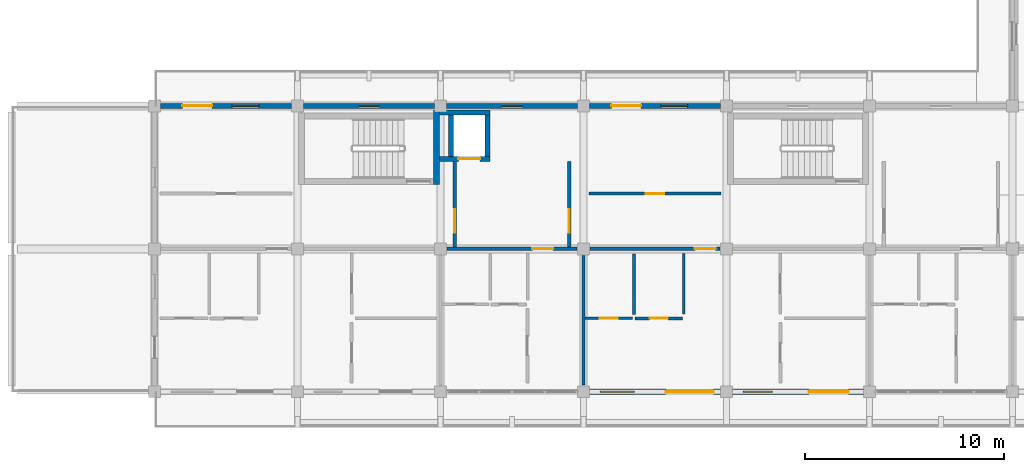
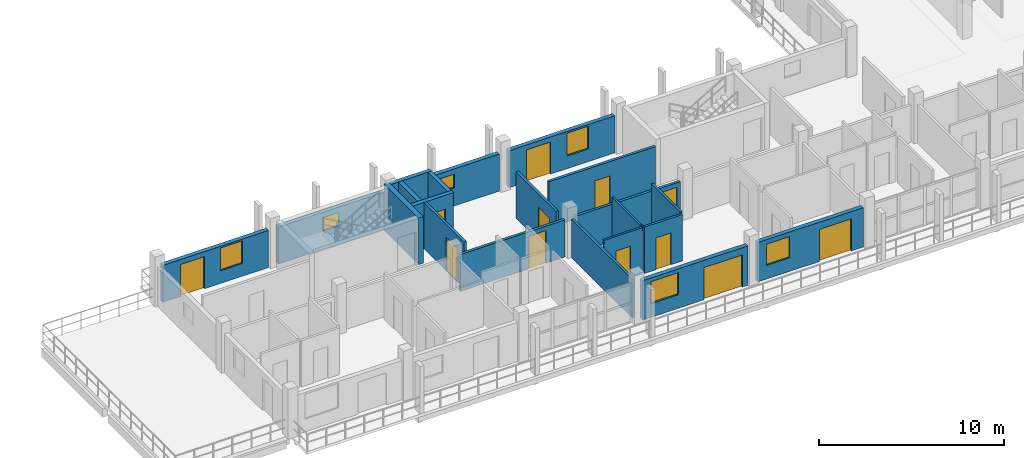
# One storey, part 50 of 75: 21 walls, 12 doors, 6 windows, 18 openings.
"""IFC4 building model written with IfcOpenShell, lengths in metres."""

from ifc_helpers import new_model, si_unit, direction, frame, frame_2d, origin, place, context, subcontext, project, spatial, rectangle, extrude, material, layer, layer_set, type_object, element, fill, save


model = new_model("IFC4")

# Units and contexts
model_context = context("Model", 3, precision=1e-05, world=origin(), true_north=direction((0.0, 1.0)))
body_context = subcontext(model_context, "Body", "Model", "MODEL_VIEW")
ifc_project = project(units=[si_unit("LENGTHUNIT", "METRE"), si_unit("AREAUNIT", "SQUARE_METRE"), si_unit("VOLUMEUNIT", "CUBIC_METRE"), si_unit("PLANEANGLEUNIT", "RADIAN"), si_unit("MASSUNIT", "GRAM", prefix="KILO")], contexts=[model_context])

# Site, building, storey
site_placement = place(None, origin())
site = spatial("IfcSite", under=ifc_project, at=site_placement, CompositionType="ELEMENT")
building_placement = place(site_placement, origin())
building = spatial("IfcBuilding", under=site, at=building_placement, Name="Suanplinth Sawtooth Commons", CompositionType="ELEMENT")
storey_placement = place(building_placement, frame((0.0, 0.0, 18.60009765625)))
storey = spatial("IfcBuildingStorey", under=building, at=storey_placement, Name="L05", CompositionType="ELEMENT", Elevation=18.60009765625)

# Wall
ifc_material_1 = material(Name="Concrete C40/50", Category="concrete")
ifc_layer_1 = layer(ifc_material_1, 0.300048828125, Name="Standard RC stair and lift core wall 300mm")
ifc_layer_set_1 = layer_set([ifc_layer_1], Name="Concrete C40/50")
wall_type_1 = type_object("IfcWallType", Name="W-CR02", PredefinedType="SHEAR", material=ifc_layer_set_1)
wall_1_placement = place(storey_placement, frame((143.800048828125, 10.449951171875, 0.0), z_axis=(0.0, 0.0, 1.0), x_axis=(0.0, 1.0, 0.0)))
element("IfcWall", 1, at=wall_1_placement, inside=storey, type_object=wall_type_1, Name="W-L05-C-C1-STE", PredefinedType="SHEAR", context=body_context, shape_type="SweptSolid", body=[
    extrude(rectangle(XDim=3.75, YDim=0.300048828125, at=frame_2d((1.875, 0.0))), origin(), (0.0, 0.0, 1.0), 3.059814453125),
])

# Wall, openings, door, window
ifc_material_2 = material(Name="Precast concrete C40/50", Category="concrete")
ifc_layer_2 = layer(ifc_material_2, 0.260009765625, Name="Insulated precast courtyard facade wall 260mm")
ifc_layer_set_2 = layer_set([ifc_layer_2], Name="Precast concrete C40/50")
wall_type_2 = type_object("IfcWallType", Name="W-EX02", PredefinedType="ELEMENTEDWALL", material=ifc_layer_set_2)
wall_2_placement = place(storey_placement, frame((129.89990234375, 14.39990234375, 0.0), z_axis=(0.0, 0.0, 1.0), x_axis=(1.0, 0.0, 0.0)))
wall_2 = element("IfcWall", 2, at=wall_2_placement, inside=storey, type_object=wall_type_2, Name="Facade Wall W-L05-C-N-18-1", PredefinedType="ELEMENTEDWALL", context=body_context, shape_type="SweptSolid", body=[
    extrude(rectangle(XDim=6.60009765625, YDim=0.260009765625, at=frame_2d((3.300048828125, 0.0))), origin(), (0.0, 0.0, 1.0), 2.44482421875),
])
opening_1_placement = place(wall_2_placement, frame((1.10009765625, 0.0, 0.0)))
opening_1 = element("IfcOpeningElement", 3, at=opening_1_placement, cuts=wall_2, Name="Opening ED0445", PredefinedType="OPENING", context=body_context, shape_type="SweptSolid", body=[
    extrude(rectangle(XDim=1.5, YDim=2.1201171875, at=frame_2d((0.75, 1.06005859375))), frame((0.0, 0.14501953125, 0.0), z_axis=(0.0, -1.0, 0.0), x_axis=(1.0, 0.0, 0.0)), (0.0, 0.0, 1.0), 0.289794921875),
])
opening_2_placement = place(wall_2_placement, frame((3.60009765625, 0.0, 0.8349609375)))
opening_2 = element("IfcOpeningElement", 4, at=opening_2_placement, cuts=wall_2, Name="Opening W0533", PredefinedType="OPENING", context=body_context, shape_type="SweptSolid", body=[
    extrude(rectangle(XDim=1.35009765625, YDim=1.5, at=frame_2d((0.675048828125, 0.75))), frame((0.0, 0.14501953125, 0.0), z_axis=(0.0, -1.0, 0.0), x_axis=(1.0, 0.0, 0.0)), (0.0, 0.0, 1.0), 0.289794921875),
])
ifc_material_3 = material(Name="Anodized aluminium and low-E glass", Category="aluminium")
door_type_1 = type_object("IfcDoorType", Name="SD-03", OperationType="SLIDING_TO_LEFT", PredefinedType="DOOR", material=ifc_material_3)
door_1_placement = place(opening_1_placement, frame((1.5, 0.0, 0.0), z_axis=(0.0, 0.0, 1.0), x_axis=(-1.0, 0.0, 0.0)))
door_1 = element("IfcDoor", 5, at=door_1_placement, inside=storey, type_object=door_type_1, Name="Courtyard Balcony Door L05-C-18", OperationType="SLIDING_TO_LEFT", OverallHeight=2.1201171875, OverallWidth=1.5, PredefinedType="DOOR", context=body_context, shape_type="SweptSolid", body=[
    extrude(rectangle(XDim=1.5, YDim=2.1201171875, at=frame_2d((0.75, 1.06005859375))), frame((0.0, 0.02490234375, 0.0), z_axis=(0.0, -1.0, 0.0), x_axis=(1.0, 0.0, 0.0)), (0.0, 0.0, 1.0), 0.050048828125),
])
fill(opening_1, door_1)
ifc_material_4 = material(Name="Thermally broken aluminium and low-E double glazing", Category="aluminium")
window_type_1 = type_object("IfcWindowType", Name="WN-14", PartitioningType="SINGLE_PANEL", PredefinedType="WINDOW", material=ifc_material_4)
window_1_placement = place(opening_2_placement, origin())
window_1 = element("IfcWindow", 6, at=window_1_placement, inside=storey, type_object=window_type_1, Name="Courtyard Window L05-C-18", OverallHeight=1.5, OverallWidth=1.35009765625, PartitioningType="SINGLE_PANEL", PredefinedType="WINDOW", context=body_context, shape_type="SweptSolid", body=[
    extrude(rectangle(XDim=1.35009765625, YDim=1.5, at=frame_2d((0.675048828125, 0.75))), frame((0.0, 0.030029296875, 0.0), z_axis=(0.0, -1.0, 0.0), x_axis=(1.0, 0.0, 0.0)), (0.0, 0.0, 1.0), 0.06005859375),
])
fill(opening_2, window_1)

# Wall, opening, window
wall_3_placement = place(storey_placement, frame((137.10009765625, 14.39990234375, 0.0), z_axis=(0.0, 0.0, 1.0), x_axis=(1.0, 0.0, 0.0)))
wall_3 = element("IfcWall", 7, at=wall_3_placement, inside=storey, type_object=wall_type_2, Name="Facade Wall W-L05-C-N-19-1", PredefinedType="ELEMENTEDWALL", context=body_context, shape_type="SweptSolid", body=[
    extrude(rectangle(XDim=6.599853515625, YDim=0.260009765625, at=frame_2d((3.2998046875, 0.0))), origin(), (0.0, 0.0, 1.0), 2.44482421875),
])
opening_3_placement = place(wall_3_placement, frame((2.800048828125, 0.0, 1.199951171875)))
opening_3 = element("IfcOpeningElement", 8, at=opening_3_placement, cuts=wall_3, Name="Opening W0536", PredefinedType="OPENING", context=body_context, shape_type="SweptSolid", body=[
    extrude(rectangle(XDim=1.0, YDim=0.89990234375, at=frame_2d((0.5, 0.449951171875))), frame((0.0, 0.14501953125, 0.0), z_axis=(0.0, -1.0, 0.0), x_axis=(1.0, 0.0, 0.0)), (0.0, 0.0, 1.0), 0.289794921875),
])
window_type_2 = type_object("IfcWindowType", Name="WN-12", PartitioningType="SINGLE_PANEL", PredefinedType="WINDOW", material=ifc_material_4)
window_2_placement = place(opening_3_placement, origin())
window_2 = element("IfcWindow", 9, at=window_2_placement, inside=storey, type_object=window_type_2, Name="Core Daylight Window L05-C-19-1", OverallHeight=0.89990234375, OverallWidth=1.0, PartitioningType="SINGLE_PANEL", PredefinedType="WINDOW", context=body_context, shape_type="SweptSolid", body=[
    extrude(rectangle(XDim=1.0, YDim=0.89990234375, at=frame_2d((0.5, 0.449951171875))), frame((0.0, 0.030029296875, 0.0), z_axis=(0.0, -1.0, 0.0), x_axis=(1.0, 0.0, 0.0)), (0.0, 0.0, 1.0), 0.06005859375),
])
fill(opening_3, window_2)

wall_4_placement = place(storey_placement, frame((144.300048828125, 14.39990234375, 0.0), z_axis=(0.0, 0.0, 1.0), x_axis=(1.0, 0.0, 0.0)))
wall_4 = element("IfcWall", 10, at=wall_4_placement, inside=storey, type_object=wall_type_2, Name="Facade Wall W-L05-C-N-20-1", PredefinedType="ELEMENTEDWALL", context=body_context, shape_type="SweptSolid", body=[
    extrude(rectangle(XDim=6.599853515625, YDim=0.260009765625, at=frame_2d((3.2998046875, 0.0))), origin(), (0.0, 0.0, 1.0), 2.44482421875),
])
opening_4_placement = place(wall_4_placement, frame((2.800048828125, 0.0, 1.199951171875)))
opening_4 = element("IfcOpeningElement", 11, at=opening_4_placement, cuts=wall_4, Name="Opening W0537", PredefinedType="OPENING", context=body_context, shape_type="SweptSolid", body=[
    extrude(rectangle(XDim=1.0, YDim=0.89990234375, at=frame_2d((0.5, 0.449951171875))), frame((0.0, 0.14501953125, 0.0), z_axis=(0.0, -1.0, 0.0), x_axis=(1.0, 0.0, 0.0)), (0.0, 0.0, 1.0), 0.289794921875),
])
window_3_placement = place(opening_4_placement, origin())
window_3 = element("IfcWindow", 12, at=window_3_placement, inside=storey, type_object=window_type_2, Name="Core Daylight Window L05-C-20-1", OverallHeight=0.89990234375, OverallWidth=1.0, PartitioningType="SINGLE_PANEL", PredefinedType="WINDOW", context=body_context, shape_type="SweptSolid", body=[
    extrude(rectangle(XDim=1.0, YDim=0.89990234375, at=frame_2d((0.5, 0.449951171875))), frame((0.0, 0.030029296875, 0.0), z_axis=(0.0, -1.0, 0.0), x_axis=(1.0, 0.0, 0.0)), (0.0, 0.0, 1.0), 0.06005859375),
])
fill(opening_4, window_3)

# Wall, openings, door, window
wall_5_placement = place(storey_placement, frame((151.5, 0.0, 0.0), z_axis=(0.0, 0.0, 1.0), x_axis=(1.0, 0.0, 0.0)))
wall_5 = element("IfcWall", 13, at=wall_5_placement, inside=storey, type_object=wall_type_2, Name="Facade Wall W-L05-C-S-21-0", PredefinedType="ELEMENTEDWALL", context=body_context, shape_type="SweptSolid", body=[
    extrude(rectangle(XDim=6.60009765625, YDim=0.260009765625, at=frame_2d((3.300048828125, 0.0))), origin(), (0.0, 0.0, 1.0), 2.594970703125),
])
opening_5_placement = place(wall_5_placement, frame((3.85009765625, 0.0, 0.0)))
opening_5 = element("IfcOpeningElement", 14, at=opening_5_placement, cuts=wall_5, Name="Opening ED0447", PredefinedType="OPENING", context=body_context, shape_type="SweptSolid", body=[
    extrude(rectangle(XDim=2.39990234375, YDim=2.1201171875, at=frame_2d((1.199951171875, 1.06005859375))), frame((0.0, 0.14501953125, 0.0), z_axis=(0.0, -1.0, 0.0), x_axis=(1.0, 0.0, 0.0)), (0.0, 0.0, 1.0), 0.289794921875),
])
opening_6_placement = place(wall_5_placement, frame((0.550048828125, 0.0, 0.89990234375)))
opening_6 = element("IfcOpeningElement", 15, at=opening_6_placement, cuts=wall_5, Name="Opening W0538", PredefinedType="OPENING", context=body_context, shape_type="SweptSolid", body=[
    extrude(rectangle(XDim=1.699951171875, YDim=1.449951171875, at=frame_2d((0.85009765625, 0.72509765625))), frame((0.0, 0.14501953125, 0.0), z_axis=(0.0, -1.0, 0.0), x_axis=(1.0, 0.0, 0.0)), (0.0, 0.0, 1.0), 0.289794921875),
])
door_type_2 = type_object("IfcDoorType", Name="SD-04", OperationType="DOUBLE_DOOR_SLIDING", PredefinedType="DOOR", material=ifc_material_3)
door_2_placement = place(opening_5_placement, frame((2.39990234375, 0.0, 0.0), z_axis=(0.0, 0.0, 1.0), x_axis=(-1.0, 0.0, 0.0)))
door_2 = element("IfcDoor", 16, at=door_2_placement, inside=storey, type_object=door_type_2, Name="Balcony Sliding Door L05-C-21", OperationType="DOUBLE_DOOR_SLIDING", OverallHeight=2.1201171875, OverallWidth=2.39990234375, PredefinedType="DOOR", context=body_context, shape_type="SweptSolid", body=[
    extrude(rectangle(XDim=2.39990234375, YDim=2.1201171875, at=frame_2d((1.199951171875, 1.06005859375))), frame((0.0, 0.02490234375, 0.0), z_axis=(0.0, -1.0, 0.0), x_axis=(1.0, 0.0, 0.0)), (0.0, 0.0, 1.0), 0.050048828125),
])
fill(opening_5, door_2)
window_type_3 = type_object("IfcWindowType", Name="WN-15", PartitioningType="DOUBLE_PANEL_VERTICAL", PredefinedType="WINDOW", material=ifc_material_4)
window_4_placement = place(opening_6_placement, origin())
window_4 = element("IfcWindow", 17, at=window_4_placement, inside=storey, type_object=window_type_3, Name="Apartment Window L05-C-21", OverallHeight=1.449951171875, OverallWidth=1.699951171875, PartitioningType="DOUBLE_PANEL_VERTICAL", PredefinedType="WINDOW", context=body_context, shape_type="SweptSolid", body=[
    extrude(rectangle(XDim=1.699951171875, YDim=1.449951171875, at=frame_2d((0.85009765625, 0.72509765625))), frame((0.0, 0.030029296875, 0.0), z_axis=(0.0, -1.0, 0.0), x_axis=(1.0, 0.0, 0.0)), (0.0, 0.0, 1.0), 0.06005859375),
])
fill(opening_6, window_4)

wall_6_placement = place(storey_placement, frame((151.5, 14.39990234375, 0.0), z_axis=(0.0, 0.0, 1.0), x_axis=(1.0, 0.0, 0.0)))
wall_6 = element("IfcWall", 18, at=wall_6_placement, inside=storey, type_object=wall_type_2, Name="Facade Wall W-L05-C-N-21-1", PredefinedType="ELEMENTEDWALL", context=body_context, shape_type="SweptSolid", body=[
    extrude(rectangle(XDim=6.60009765625, YDim=0.260009765625, at=frame_2d((3.300048828125, 0.0))), origin(), (0.0, 0.0, 1.0), 2.44482421875),
])
opening_7_placement = place(wall_6_placement, frame((1.10009765625, 0.0, 0.0)))
opening_7 = element("IfcOpeningElement", 19, at=opening_7_placement, cuts=wall_6, Name="Opening ED0448", PredefinedType="OPENING", context=body_context, shape_type="SweptSolid", body=[
    extrude(rectangle(XDim=1.5, YDim=2.1201171875, at=frame_2d((0.75, 1.06005859375))), frame((0.0, 0.14501953125, 0.0), z_axis=(0.0, -1.0, 0.0), x_axis=(1.0, 0.0, 0.0)), (0.0, 0.0, 1.0), 0.289794921875),
])
opening_8_placement = place(wall_6_placement, frame((3.60009765625, 0.0, 0.8349609375)))
opening_8 = element("IfcOpeningElement", 20, at=opening_8_placement, cuts=wall_6, Name="Opening W0539", PredefinedType="OPENING", context=body_context, shape_type="SweptSolid", body=[
    extrude(rectangle(XDim=1.35009765625, YDim=1.5, at=frame_2d((0.675048828125, 0.75))), frame((0.0, 0.14501953125, 0.0), z_axis=(0.0, -1.0, 0.0), x_axis=(1.0, 0.0, 0.0)), (0.0, 0.0, 1.0), 0.289794921875),
])
door_3_placement = place(opening_7_placement, frame((1.5, 0.0, 0.0), z_axis=(0.0, 0.0, 1.0), x_axis=(-1.0, 0.0, 0.0)))
door_3 = element("IfcDoor", 21, at=door_3_placement, inside=storey, type_object=door_type_1, Name="Courtyard Balcony Door L05-C-21", OperationType="SLIDING_TO_LEFT", OverallHeight=2.1201171875, OverallWidth=1.5, PredefinedType="DOOR", context=body_context, shape_type="SweptSolid", body=[
    extrude(rectangle(XDim=1.5, YDim=2.1201171875, at=frame_2d((0.75, 1.06005859375))), frame((0.0, 0.02490234375, 0.0), z_axis=(0.0, -1.0, 0.0), x_axis=(1.0, 0.0, 0.0)), (0.0, 0.0, 1.0), 0.050048828125),
])
fill(opening_7, door_3)
window_5_placement = place(opening_8_placement, origin())
window_5 = element("IfcWindow", 22, at=window_5_placement, inside=storey, type_object=window_type_1, Name="Courtyard Window L05-C-21", OverallHeight=1.5, OverallWidth=1.35009765625, PartitioningType="SINGLE_PANEL", PredefinedType="WINDOW", context=body_context, shape_type="SweptSolid", body=[
    extrude(rectangle(XDim=1.35009765625, YDim=1.5, at=frame_2d((0.675048828125, 0.75))), frame((0.0, 0.030029296875, 0.0), z_axis=(0.0, -1.0, 0.0), x_axis=(1.0, 0.0, 0.0)), (0.0, 0.0, 1.0), 0.06005859375),
])
fill(opening_8, window_5)

wall_7_placement = place(storey_placement, frame((158.699951171875, 0.0, 0.0), z_axis=(0.0, 0.0, 1.0), x_axis=(1.0, 0.0, 0.0)))
wall_7 = element("IfcWall", 23, at=wall_7_placement, inside=storey, type_object=wall_type_2, Name="Facade Wall W-L05-C-S-22-0", PredefinedType="ELEMENTEDWALL", context=body_context, shape_type="SweptSolid", body=[
    extrude(rectangle(XDim=6.60009765625, YDim=0.260009765625, at=frame_2d((3.300048828125, 0.0))), origin(), (0.0, 0.0, 1.0), 2.594970703125),
])
opening_9_placement = place(wall_7_placement, frame((3.85009765625, 0.0, 0.0)))
opening_9 = element("IfcOpeningElement", 24, at=opening_9_placement, cuts=wall_7, Name="Opening ED0449", PredefinedType="OPENING", context=body_context, shape_type="SweptSolid", body=[
    extrude(rectangle(XDim=2.0, YDim=2.1201171875, at=frame_2d((1.0, 1.06005859375))), frame((0.0, 0.14501953125, 0.0), z_axis=(0.0, -1.0, 0.0), x_axis=(1.0, 0.0, 0.0)), (0.0, 0.0, 1.0), 0.289794921875),
])
opening_10_placement = place(wall_7_placement, frame((0.550048828125, 0.0, 0.89990234375)))
opening_10 = element("IfcOpeningElement", 25, at=opening_10_placement, cuts=wall_7, Name="Opening W0540", PredefinedType="OPENING", context=body_context, shape_type="SweptSolid", body=[
    extrude(rectangle(XDim=1.449951171875, YDim=1.39990234375, at=frame_2d((0.72509765625, 0.699951171875))), frame((0.0, 0.14501953125, 0.0), z_axis=(0.0, -1.0, 0.0), x_axis=(1.0, 0.0, 0.0)), (0.0, 0.0, 1.0), 0.289794921875),
])
door_type_3 = type_object("IfcDoorType", Name="SD-06", OperationType="DOUBLE_DOOR_SLIDING", PredefinedType="DOOR", material=ifc_material_3)
door_4_placement = place(opening_9_placement, frame((2.0, 0.0, 0.0), z_axis=(0.0, 0.0, 1.0), x_axis=(-1.0, 0.0, 0.0)))
door_4 = element("IfcDoor", 26, at=door_4_placement, inside=storey, type_object=door_type_3, Name="Balcony Sliding Door L05-C-22", OperationType="DOUBLE_DOOR_SLIDING", OverallHeight=2.1201171875, OverallWidth=2.0, PredefinedType="DOOR", context=body_context, shape_type="SweptSolid", body=[
    extrude(rectangle(XDim=2.0, YDim=2.1201171875, at=frame_2d((1.0, 1.06005859375))), frame((0.0, 0.02490234375, 0.0), z_axis=(0.0, -1.0, 0.0), x_axis=(1.0, 0.0, 0.0)), (0.0, 0.0, 1.0), 0.050048828125),
])
fill(opening_9, door_4)
window_type_4 = type_object("IfcWindowType", Name="WN-16", PartitioningType="DOUBLE_PANEL_VERTICAL", PredefinedType="WINDOW", material=ifc_material_4)
window_6_placement = place(opening_10_placement, origin())
window_6 = element("IfcWindow", 27, at=window_6_placement, inside=storey, type_object=window_type_4, Name="Apartment Window L05-C-22", OverallHeight=1.39990234375, OverallWidth=1.449951171875, PartitioningType="DOUBLE_PANEL_VERTICAL", PredefinedType="WINDOW", context=body_context, shape_type="SweptSolid", body=[
    extrude(rectangle(XDim=1.449951171875, YDim=1.39990234375, at=frame_2d((0.72509765625, 0.699951171875))), frame((0.0, 0.030029296875, 0.0), z_axis=(0.0, -1.0, 0.0), x_axis=(1.0, 0.0, 0.0)), (0.0, 0.0, 1.0), 0.06005859375),
])
fill(opening_10, window_6)

# Wall, opening, door
ifc_layer_3 = layer(ifc_material_2, 0.159912109375, Name="Fire-rated corridor and lobby wall 160mm")
ifc_layer_set_3 = layer_set([ifc_layer_3], Name="Precast concrete C40/50")
wall_type_3 = type_object("IfcWallType", Name="W-FW01", PredefinedType="PARTITIONING", material=ifc_layer_set_3)
wall_8_placement = place(storey_placement, frame((144.719970703125, 7.280029296875, 0.0), z_axis=(0.0, 0.0, 1.0), x_axis=(0.0, 1.0, 0.0)))
wall_8 = element("IfcWall", 28, at=wall_8_placement, inside=storey, type_object=wall_type_3, Name="W-L05-C-C1-LOB-W", PredefinedType="PARTITIONING", context=body_context, shape_type="SweptSolid", body=[
    extrude(rectangle(XDim=4.320068359375, YDim=0.159912109375, at=frame_2d((2.16015625, 0.0))), origin(), (0.0, 0.0, 1.0), 3.059814453125),
])
opening_11_placement = place(wall_8_placement, frame((0.719970703125, 0.0, 0.0)))
opening_11 = element("IfcOpeningElement", 29, at=opening_11_placement, cuts=wall_8, Name="Opening FD0301", PredefinedType="OPENING", context=body_context, shape_type="SweptSolid", body=[
    extrude(rectangle(XDim=1.199951171875, YDim=2.199951171875, at=frame_2d((0.60009765625, 1.10009765625))), frame((0.0, 0.0947265625, 0.0), z_axis=(0.0, -1.0, 0.0), x_axis=(1.0, 0.0, 0.0)), (0.0, 0.0, 1.0), 0.189697265625),
])
ifc_material_5 = material(Name="Teak hardwood fire-rated door assembly", Category="wood")
door_type_4 = type_object("IfcDoorType", Name="FD-02", OperationType="NOTDEFINED", PredefinedType="DOOR", material=ifc_material_5)
door_5_placement = place(opening_11_placement, origin())
door_5 = element("IfcDoor", 30, at=door_5_placement, inside=storey, type_object=door_type_4, Name="Lobby Fire Door FD0301", OperationType="SINGLE_SWING_RIGHT", OverallHeight=2.199951171875, OverallWidth=1.199951171875, PredefinedType="DOOR", context=body_context, shape_type="SweptSolid", body=[
    extrude(rectangle(XDim=1.199951171875, YDim=2.199951171875, at=frame_2d((0.60009765625, 1.10009765625))), frame((0.0, 0.02490234375, 0.0), z_axis=(0.0, -1.0, 0.0), x_axis=(1.0, 0.0, 0.0)), (0.0, 0.0, 1.0), 0.050048828125),
])
fill(opening_11, door_5)

wall_9_placement = place(storey_placement, frame((150.47998046875, 7.280029296875, 0.0), z_axis=(0.0, 0.0, 1.0), x_axis=(0.0, 1.0, 0.0)))
wall_9 = element("IfcWall", 31, at=wall_9_placement, inside=storey, type_object=wall_type_3, Name="W-L05-C-C1-LOB-E", PredefinedType="PARTITIONING", context=body_context, shape_type="SweptSolid", body=[
    extrude(rectangle(XDim=4.320068359375, YDim=0.159912109375, at=frame_2d((2.16015625, 0.0))), origin(), (0.0, 0.0, 1.0), 3.059814453125),
])
opening_12_placement = place(wall_9_placement, frame((0.719970703125, 0.0, 0.0)))
opening_12 = element("IfcOpeningElement", 32, at=opening_12_placement, cuts=wall_9, Name="Opening FD0302", PredefinedType="OPENING", context=body_context, shape_type="SweptSolid", body=[
    extrude(rectangle(XDim=1.199951171875, YDim=2.199951171875, at=frame_2d((0.60009765625, 1.10009765625))), frame((0.0, 0.0947265625, 0.0), z_axis=(0.0, -1.0, 0.0), x_axis=(1.0, 0.0, 0.0)), (0.0, 0.0, 1.0), 0.189697265625),
])
door_6_placement = place(opening_12_placement, frame((1.199951171875, 0.0, 0.0), z_axis=(0.0, 0.0, 1.0), x_axis=(-1.0, 0.0, 0.0)))
door_6 = element("IfcDoor", 33, at=door_6_placement, inside=storey, type_object=door_type_4, Name="Lobby Fire Door FD0302", OperationType="SINGLE_SWING_LEFT", OverallHeight=2.199951171875, OverallWidth=1.199951171875, PredefinedType="DOOR", context=body_context, shape_type="SweptSolid", body=[
    extrude(rectangle(XDim=1.199951171875, YDim=2.199951171875, at=frame_2d((0.60009765625, 1.10009765625))), frame((0.0, 0.02490234375, 0.0), z_axis=(0.0, -1.0, 0.0), x_axis=(1.0, 0.0, 0.0)), (0.0, 0.0, 1.0), 0.050048828125),
])
fill(opening_12, door_6)

wall_10_placement = place(storey_placement, frame((144.330078125, 7.199951171875, 0.0), z_axis=(0.0, 0.0, 1.0), x_axis=(1.0, 0.0, 0.0)))
wall_10 = element("IfcWall", 34, at=wall_10_placement, inside=storey, type_object=wall_type_3, Name="W-C-L05-U02-COR", PredefinedType="PARTITIONING", context=body_context, shape_type="SweptSolid", body=[
    extrude(rectangle(XDim=6.5400390625, YDim=0.159912109375, at=frame_2d((3.27001953125, 0.0))), origin(), (0.0, 0.0, 1.0), 2.44482421875),
])
opening_13_placement = place(wall_10_placement, frame((4.294921875, 0.0, 0.0)))
opening_13 = element("IfcOpeningElement", 35, at=opening_13_placement, cuts=wall_10, Name="Opening FD1296", PredefinedType="OPENING", context=body_context, shape_type="SweptSolid", body=[
    extrude(rectangle(XDim=1.050048828125, YDim=2.14990234375, at=frame_2d((0.52490234375, 1.074951171875))), frame((0.0, 0.0947265625, 0.0), z_axis=(0.0, -1.0, 0.0), x_axis=(1.0, 0.0, 0.0)), (0.0, 0.0, 1.0), 0.189697265625),
])
door_type_5 = type_object("IfcDoorType", Name="FD-04", OperationType="NOTDEFINED", PredefinedType="DOOR", material=ifc_material_5)
door_7_placement = place(opening_13_placement, frame((1.050048828125, 0.0, 0.0), z_axis=(0.0, 0.0, 1.0), x_axis=(-1.0, 0.0, 0.0)))
door_7 = element("IfcDoor", 36, at=door_7_placement, inside=storey, type_object=door_type_5, Name="Unit Entrance Door FD1296", OperationType="SINGLE_SWING_RIGHT", OverallHeight=2.14990234375, OverallWidth=1.050048828125, PredefinedType="DOOR", context=body_context, shape_type="SweptSolid", body=[
    extrude(rectangle(XDim=1.050048828125, YDim=2.14990234375, at=frame_2d((0.52490234375, 1.074951171875))), frame((0.0, 0.02490234375, 0.0), z_axis=(0.0, -1.0, 0.0), x_axis=(1.0, 0.0, 0.0)), (0.0, 0.0, 1.0), 0.050048828125),
])
fill(opening_13, door_7)

wall_11_placement = place(storey_placement, frame((151.530029296875, 7.199951171875, 0.0), z_axis=(0.0, 0.0, 1.0), x_axis=(1.0, 0.0, 0.0)))
wall_11 = element("IfcWall", 37, at=wall_11_placement, inside=storey, type_object=wall_type_3, Name="W-C-L05-U03-COR-S1", PredefinedType="PARTITIONING", context=body_context, shape_type="SweptSolid", body=[
    extrude(rectangle(XDim=6.5400390625, YDim=0.159912109375, at=frame_2d((3.27001953125, 0.0))), origin(), (0.0, 0.0, 1.0), 2.44482421875),
])
opening_14_placement = place(wall_11_placement, frame((5.27490234375, 0.0, 0.0)))
opening_14 = element("IfcOpeningElement", 38, at=opening_14_placement, cuts=wall_11, Name="Opening FD1300", PredefinedType="OPENING", context=body_context, shape_type="SweptSolid", body=[
    extrude(rectangle(XDim=1.050048828125, YDim=2.14990234375, at=frame_2d((0.52490234375, 1.074951171875))), frame((0.0, 0.0947265625, 0.0), z_axis=(0.0, -1.0, 0.0), x_axis=(1.0, 0.0, 0.0)), (0.0, 0.0, 1.0), 0.189697265625),
])
door_8_placement = place(opening_14_placement, frame((1.050048828125, 0.0, 0.0), z_axis=(0.0, 0.0, 1.0), x_axis=(-1.0, 0.0, 0.0)))
door_8 = element("IfcDoor", 39, at=door_8_placement, inside=storey, type_object=door_type_5, Name="Unit Entrance Door FD1300", OperationType="SINGLE_SWING_RIGHT", OverallHeight=2.14990234375, OverallWidth=1.050048828125, PredefinedType="DOOR", context=body_context, shape_type="SweptSolid", body=[
    extrude(rectangle(XDim=1.050048828125, YDim=2.14990234375, at=frame_2d((0.52490234375, 1.074951171875))), frame((0.0, 0.02490234375, 0.0), z_axis=(0.0, -1.0, 0.0), x_axis=(1.0, 0.0, 0.0)), (0.0, 0.0, 1.0), 0.050048828125),
])
fill(opening_14, door_8)

wall_12_placement = place(storey_placement, frame((151.47998046875, 9.97998046875, 0.0), z_axis=(0.0, 0.0, 1.0), x_axis=(1.0, 0.0, 0.0)))
wall_12 = element("IfcWall", 40, at=wall_12_placement, inside=storey, type_object=wall_type_3, Name="W-C-L05-COURTROOM-47-COR", PredefinedType="PARTITIONING", context=body_context, shape_type="SweptSolid", body=[
    extrude(rectangle(XDim=6.64013671875, YDim=0.159912109375, at=frame_2d((3.320068359375, 0.0))), origin(), (0.0, 0.0, 1.0), 3.059814453125),
])
opening_15_placement = place(wall_12_placement, frame((2.85009765625, 0.0, 0.0)))
opening_15 = element("IfcOpeningElement", 41, at=opening_15_placement, cuts=wall_12, Name="Opening D1315", PredefinedType="OPENING", context=body_context, shape_type="SweptSolid", body=[
    extrude(rectangle(XDim=0.93994140625, YDim=2.1201171875, at=frame_2d((0.469970703125, 1.06005859375))), frame((0.0, 0.0947265625, 0.0), z_axis=(0.0, -1.0, 0.0), x_axis=(1.0, 0.0, 0.0)), (0.0, 0.0, 1.0), 0.189697265625),
])
ifc_material_6 = material(Name="Teak hardwood", Category="wood")
door_type_6 = type_object("IfcDoorType", Name="D-15", OperationType="NOTDEFINED", PredefinedType="DOOR", material=ifc_material_6)
door_9_placement = place(opening_15_placement, origin())
door_9 = element("IfcDoor", 42, at=door_9_placement, inside=storey, type_object=door_type_6, Name="Study Studio Door D1315", OperationType="SINGLE_SWING_LEFT", OverallHeight=2.1201171875, OverallWidth=0.93994140625, PredefinedType="DOOR", context=body_context, shape_type="SweptSolid", body=[
    extrude(rectangle(XDim=0.93994140625, YDim=2.1201171875, at=frame_2d((0.469970703125, 1.06005859375))), frame((0.0, 0.02490234375, 0.0), z_axis=(0.0, -1.0, 0.0), x_axis=(1.0, 0.0, 0.0)), (0.0, 0.0, 1.0), 0.050048828125),
])
fill(opening_15, door_9)

# Wall
ifc_layer_4 = layer(ifc_material_2, 0.14990234375, Name="Acoustic precast party demising wall 150mm")
ifc_layer_set_4 = layer_set([ifc_layer_4], Name="Precast concrete C40/50")
wall_type_4 = type_object("IfcWallType", Name="W-FW02", PredefinedType="PARTITIONING", material=ifc_layer_set_4)
wall_13_placement = place(storey_placement, frame((151.199951171875, 0.330078125, 0.0), z_axis=(0.0, 0.0, 1.0), x_axis=(0.0, 1.0, 0.0)))
element("IfcWall", 43, at=wall_13_placement, inside=storey, type_object=wall_type_4, Name="W-C-L05-U02-PTY", PredefinedType="PARTITIONING", context=body_context, shape_type="SweptSolid", body=[
    extrude(rectangle(XDim=6.5400390625, YDim=0.14990234375, at=frame_2d((3.27001953125, 0.0))), origin(), (0.0, 0.0, 1.0), 2.544921875),
])

# Wall, opening, door
ifc_material_7 = material(Name="Gypsum plasterboard on steel stud", Category="steel")
ifc_layer_5 = layer(ifc_material_7, 0.139892578125, Name="Fire-rated kitchen partition 140mm")
ifc_layer_set_5 = layer_set([ifc_layer_5], Name="Gypsum plasterboard on steel stud")
wall_type_5 = type_object("IfcWallType", Name="W-PT01", PredefinedType="PARTITIONING", material=ifc_layer_set_5)
wall_14_placement = place(storey_placement, frame((153.800048828125, 3.68994140625, 0.0), z_axis=(0.0, 0.0, 1.0), x_axis=(1.0, 0.0, 0.0)))
wall_14 = element("IfcWall", 44, at=wall_14_placement, inside=storey, type_object=wall_type_5, Name="W-C-L05-U03-KIT1", PredefinedType="PARTITIONING", context=body_context, shape_type="SweptSolid", body=[
    extrude(rectangle(XDim=2.3798828125, YDim=0.139892578125, at=frame_2d((1.18994140625, 0.0))), origin(), (0.0, 0.0, 1.0), 3.059814453125),
])
opening_16_placement = place(wall_14_placement, frame((0.72998046875, 0.0, 0.0)))
opening_16 = element("IfcOpeningElement", 45, at=opening_16_placement, cuts=wall_14, Name="Opening D1302", PredefinedType="OPENING", context=body_context, shape_type="SweptSolid", body=[
    extrude(rectangle(XDim=0.919921875, YDim=2.10009765625, at=frame_2d((0.4599609375, 1.050048828125))), frame((0.0, 0.0849609375, 0.0), z_axis=(0.0, -1.0, 0.0), x_axis=(1.0, 0.0, 0.0)), (0.0, 0.0, 1.0), 0.169677734375),
])
door_type_7 = type_object("IfcDoorType", Name="D-02", OperationType="NOTDEFINED", PredefinedType="DOOR", material=ifc_material_6)
door_10_placement = place(opening_16_placement, origin())
door_10 = element("IfcDoor", 46, at=door_10_placement, inside=storey, type_object=door_type_7, Name="Kitchen Door D1302", OperationType="SINGLE_SWING_RIGHT", OverallHeight=2.10009765625, OverallWidth=0.919921875, PredefinedType="DOOR", context=body_context, shape_type="SweptSolid", body=[
    extrude(rectangle(XDim=0.919921875, YDim=2.10009765625, at=frame_2d((0.4599609375, 1.050048828125))), frame((0.0, 0.02490234375, 0.0), z_axis=(0.0, -1.0, 0.0), x_axis=(1.0, 0.0, 0.0)), (0.0, 0.0, 1.0), 0.050048828125),
])
fill(opening_16, door_10)

# Wall
wall_15_placement = place(storey_placement, frame((156.25, 3.909912109375, 0.0), z_axis=(0.0, 0.0, 1.0), x_axis=(0.0, 1.0, 0.0)))
element("IfcWall", 47, at=wall_15_placement, inside=storey, type_object=wall_type_5, Name="W-C-L05-U03-KIT2", PredefinedType="PARTITIONING", context=body_context, shape_type="SweptSolid", body=[
    extrude(rectangle(XDim=3.06005859375, YDim=0.139892578125, at=frame_2d((1.530029296875, 0.0))), origin(), (0.0, 0.0, 1.0), 3.059814453125),
])

# Wall, opening, door
ifc_layer_6 = layer(ifc_material_7, 0.1298828125, Name="Moisture-resistant bathroom partition 130mm")
ifc_layer_set_6 = layer_set([ifc_layer_6], Name="Gypsum plasterboard on steel stud")
wall_type_6 = type_object("IfcWallType", Name="W-PT02", PredefinedType="PARTITIONING", material=ifc_layer_set_6)
wall_16_placement = place(storey_placement, frame((151.280029296875, 3.695068359375, 0.0), z_axis=(0.0, 0.0, 1.0), x_axis=(1.0, 0.0, 0.0)))
wall_16 = element("IfcWall", 48, at=wall_16_placement, inside=storey, type_object=wall_type_6, Name="W-C-L05-U03-BTH1", PredefinedType="PARTITIONING", context=body_context, shape_type="SweptSolid", body=[
    extrude(rectangle(XDim=2.39990234375, YDim=0.1298828125, at=frame_2d((1.199951171875, 0.0))), origin(), (0.0, 0.0, 1.0), 3.059814453125),
])
opening_17_placement = place(wall_16_placement, frame((0.75, 0.0, 0.0)))
opening_17 = element("IfcOpeningElement", 49, at=opening_17_placement, cuts=wall_16, Name="Opening D1301", PredefinedType="OPENING", context=body_context, shape_type="SweptSolid", body=[
    extrude(rectangle(XDim=0.89990234375, YDim=2.10009765625, at=frame_2d((0.449951171875, 1.050048828125))), frame((0.0, 0.079833984375, 0.0), z_axis=(0.0, -1.0, 0.0), x_axis=(1.0, 0.0, 0.0)), (0.0, 0.0, 1.0), 0.15966796875),
])
door_type_8 = type_object("IfcDoorType", Name="D-01", OperationType="NOTDEFINED", PredefinedType="DOOR", material=ifc_material_6)
door_11_placement = place(opening_17_placement, origin())
door_11 = element("IfcDoor", 50, at=door_11_placement, inside=storey, type_object=door_type_8, Name="Bathroom Door D1301", OperationType="SINGLE_SWING_LEFT", OverallHeight=2.10009765625, OverallWidth=0.89990234375, PredefinedType="DOOR", context=body_context, shape_type="SweptSolid", body=[
    extrude(rectangle(XDim=0.89990234375, YDim=2.10009765625, at=frame_2d((0.449951171875, 1.050048828125))), frame((0.0, 0.02490234375, 0.0), z_axis=(0.0, -1.0, 0.0), x_axis=(1.0, 0.0, 0.0)), (0.0, 0.0, 1.0), 0.050048828125),
])
fill(opening_17, door_11)

# Wall
wall_17_placement = place(storey_placement, frame((153.7451171875, 3.89990234375, 0.0), z_axis=(0.0, 0.0, 1.0), x_axis=(0.0, 1.0, 0.0)))
element("IfcWall", 51, at=wall_17_placement, inside=storey, type_object=wall_type_6, Name="W-C-L05-U03-BTH2", PredefinedType="PARTITIONING", context=body_context, shape_type="SweptSolid", body=[
    extrude(rectangle(XDim=3.0400390625, YDim=0.1298828125, at=frame_2d((1.52001953125, 0.0))), origin(), (0.0, 0.0, 1.0), 3.059814453125),
])

# Wall, opening, door
ifc_layer_7 = layer(ifc_material_2, 0.25, Name="Precast structural shear wall 250mm")
ifc_layer_set_7 = layer_set([ifc_layer_7], Name="Precast concrete C40/50")
wall_type_7 = type_object("IfcWallType", Name="W-SH01", PredefinedType="SHEAR", material=ifc_layer_set_7)
wall_18_placement = place(storey_placement, frame((143.949951171875, 11.72509765625, 0.0), z_axis=(0.0, 0.0, 1.0), x_axis=(1.0, 0.0, 0.0)))
wall_18 = element("IfcWall", 52, at=wall_18_placement, inside=storey, type_object=wall_type_7, Name="W-L05-LF5-S", PredefinedType="SHEAR", context=body_context, shape_type="SweptSolid", body=[
    extrude(rectangle(XDim=2.550048828125, YDim=0.25, at=frame_2d((1.27490234375, 0.0))), origin(), (0.0, 0.0, 1.0), 3.059814453125),
])
opening_18_placement = place(wall_18_placement, frame((0.949951171875, 0.0, 0.0)))
opening_18 = element("IfcOpeningElement", 53, at=opening_18_placement, cuts=wall_18, Name="Opening LD0303", PredefinedType="OPENING", context=body_context, shape_type="SweptSolid", body=[
    extrude(rectangle(XDim=1.10009765625, YDim=2.14990234375, at=frame_2d((0.550048828125, 1.074951171875))), frame((0.0, 0.139892578125, 0.0), z_axis=(0.0, -1.0, 0.0), x_axis=(1.0, 0.0, 0.0)), (0.0, 0.0, 1.0), 0.27978515625),
])
ifc_material_8 = material(Name="Stainless steel Grade 304", Category="steel")
door_type_9 = type_object("IfcDoorType", Name="LD-01", OperationType="SLIDING_TO_LEFT", PredefinedType="DOOR", material=ifc_material_8)
door_12_placement = place(opening_18_placement, frame((1.10009765625, 0.0, 0.0), z_axis=(0.0, 0.0, 1.0), x_axis=(-1.0, 0.0, 0.0)))
door_12 = element("IfcDoor", 54, at=door_12_placement, inside=storey, type_object=door_type_9, Name="Lift Landing Sliding Door LF5 L05", OperationType="SLIDING_TO_LEFT", OverallHeight=2.14990234375, OverallWidth=1.10009765625, PredefinedType="DOOR", context=body_context, shape_type="SweptSolid", body=[
    extrude(rectangle(XDim=1.10009765625, YDim=2.14990234375, at=frame_2d((0.550048828125, 1.074951171875))), frame((0.0, 0.02490234375, 0.0), z_axis=(0.0, -1.0, 0.0), x_axis=(1.0, 0.0, 0.0)), (0.0, 0.0, 1.0), 0.050048828125),
])
fill(opening_18, door_12)

# Walls
wall_19_placement = place(storey_placement, frame((143.949951171875, 14.074951171875, 0.0), z_axis=(0.0, 0.0, 1.0), x_axis=(1.0, 0.0, 0.0)))
element("IfcWall", 55, at=wall_19_placement, inside=storey, type_object=wall_type_7, Name="W-L05-LF5-N", PredefinedType="SHEAR", context=body_context, shape_type="SweptSolid", body=[
    extrude(rectangle(XDim=2.550048828125, YDim=0.25, at=frame_2d((1.27490234375, 0.0))), origin(), (0.0, 0.0, 1.0), 3.059814453125),
])
for number, where, z_axis, x_axis, name in (
    (56, (144.52490234375, 11.85009765625, 0.0), (0.0, 0.0, 1.0), (0.0, 1.0, 0.0), "W-L05-LF5-W"),
    (57, (146.375, 11.85009765625, 0.0), (0.0, 0.0, 1.0), (0.0, 1.0, 0.0), "W-L05-LF5-E"),
):
    element("IfcWall", number, at=place(storey_placement, frame(where, z_axis=z_axis, x_axis=x_axis)), inside=storey, type_object=wall_type_7, Name=name, PredefinedType="SHEAR", context=body_context, shape_type="SweptSolid", body=[
        extrude(rectangle(XDim=2.099853515625, YDim=0.25, at=frame_2d((1.0498046875, 0.0))), origin(), (0.0, 0.0, 1.0), 3.059814453125),
    ])

save(model, "model.ifc")
